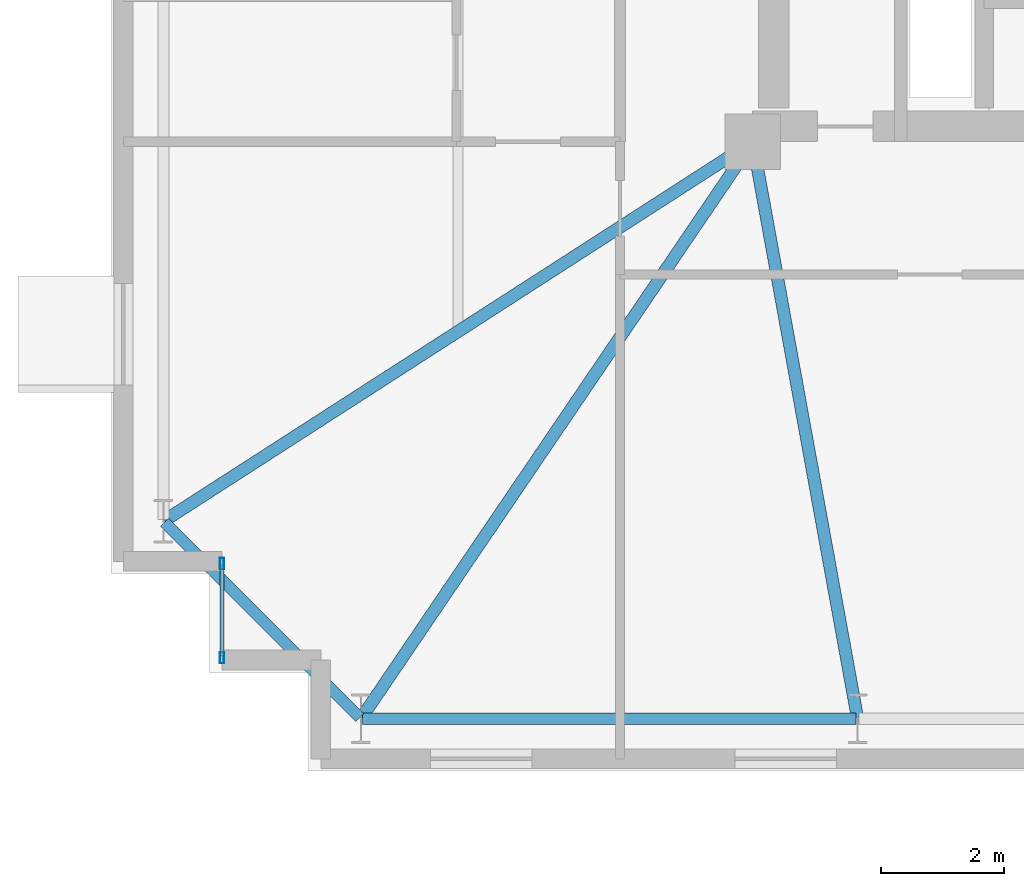
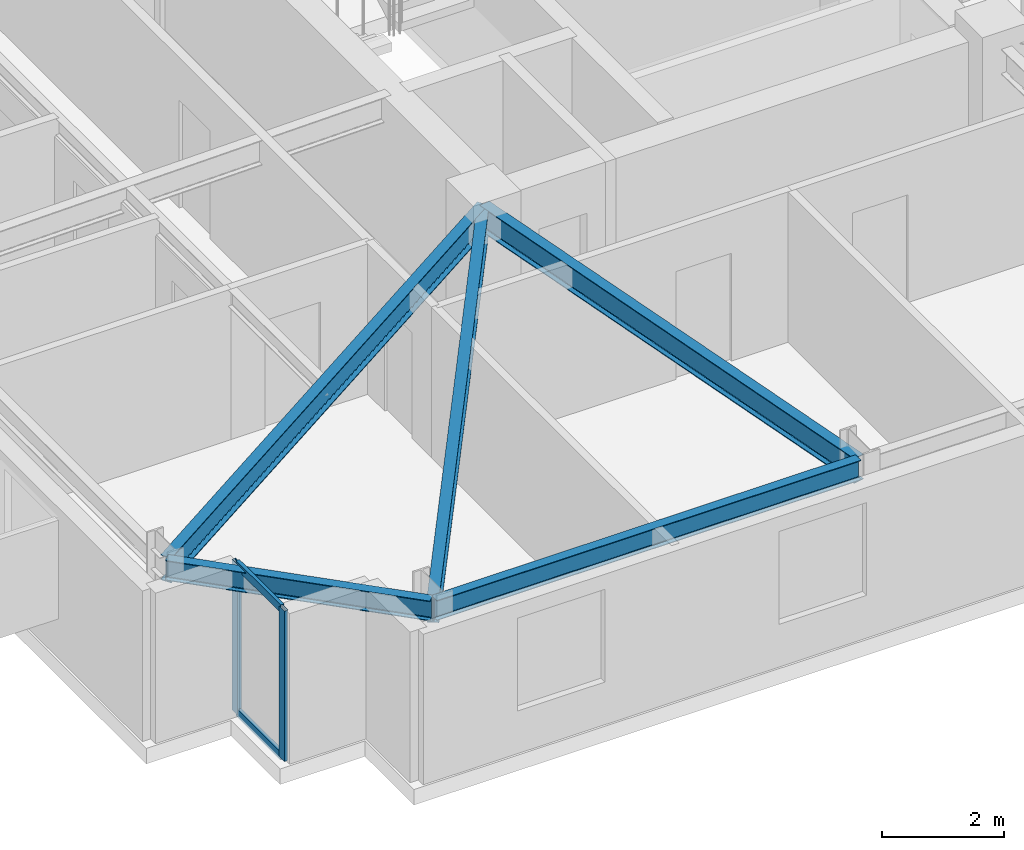
# One storey, part 3 of 17: 5 beams, 4 members, 1 element without a shape of its own.
"""IFC4 building model written with IfcOpenShell, lengths in metres."""

from ifc_helpers import new_model, si_unit, direction, frame, origin, origin_2d, place, context, subcontext, project, spatial, hollow_rectangle, i_section, extrude, material, layer, layer_set, material_profile, profile_set, type_object, element, aggregate, save


model = new_model("IFC4")

# Units and contexts
model_context = context("Model", 3, precision=1e-05, world=origin(), true_north=direction((0.0, 1.0)))
body_context = subcontext(model_context, "Body", "Model", "MODEL_VIEW")
ifc_project = project(units=[si_unit("LENGTHUNIT", "METRE"), si_unit("AREAUNIT", "SQUARE_METRE"), si_unit("VOLUMEUNIT", "CUBIC_METRE"), si_unit("PLANEANGLEUNIT", "RADIAN"), si_unit("MASSUNIT", "GRAM", prefix="KILO")], contexts=[model_context])

# Site, building, storey
site_placement = place(None, origin())
site = spatial("IfcSite", under=ifc_project, at=site_placement, CompositionType="ELEMENT")
building_placement = place(site_placement, origin())
building = spatial("IfcBuilding", under=site, at=building_placement, Name="Qobustan Lattice House", CompositionType="ELEMENT")
storey_placement = place(building_placement, frame((0.0, 0.0, 171.199951171875)))
storey = spatial("IfcBuildingStorey", under=building, at=storey_placement, Name="L48", CompositionType="ELEMENT", Elevation=171.199951171875)

# Beams
ifc_material_1 = material(Name="Steel S355", Category="steel")
ifc_material_profile_1 = material_profile(ifc_material_1, i_section(OverallWidth=0.199951171875, OverallDepth=0.5, WebThickness=0.01025390625, FlangeThickness=0.01611328125, FilletRadius=0.02099609375, at=origin_2d()), Name="IPE500")
ifc_profile_set_1 = profile_set([ifc_material_profile_1], Name="Steel S355")
beam_type_1 = type_object("IfcBeamType", Name="BM-FLG-IPE500", PredefinedType="USERDEFINED", material=ifc_profile_set_1)
beam_1_placement = place(storey_placement, frame((-25.135986328125, -14.92919921875, 2.75), z_axis=(0.561834572616, 0.827249607442, 0.0), x_axis=(-0.827249607442, 0.561834572616, 0.0)))
element("IfcBeam", 1, at=beam_1_placement, inside=storey, type_object=beam_type_1, Name="L48 primary floor girder RAD-S1W", ObjectType="GIRDER", PredefinedType="USERDEFINED", context=body_context, shape_type="SweptSolid", body=[
    extrude(i_section(OverallWidth=0.199951171875, OverallDepth=0.5, WebThickness=0.01025390625, FlangeThickness=0.01611328125, FilletRadius=0.02099609375, at=origin_2d()), origin(), (0.0, 0.0, 1.0), 11.25244140625),
])
beam_2_placement = place(storey_placement, frame((-17.1044921875, -14.92529296875, 2.75), z_axis=(-0.178871801984, 0.983872389314, 0.0), x_axis=(-0.983872389314, -0.178871801984, 0.0)))
element("IfcBeam", 2, at=beam_2_placement, inside=storey, type_object=beam_type_1, Name="L48 primary floor girder RAD-S2", ObjectType="GIRDER", PredefinedType="USERDEFINED", context=body_context, shape_type="SweptSolid", body=[
    extrude(i_section(OverallWidth=0.199951171875, OverallDepth=0.5, WebThickness=0.01025390625, FlangeThickness=0.01611328125, FilletRadius=0.02099609375, at=origin_2d()), origin(), (0.0, 0.0, 1.0), 9.453125),
])
beam_3_placement = place(storey_placement, frame((-28.3291015625, -11.736572265625, 2.75), z_axis=(0.840746836292, 0.5414284415, 0.0), x_axis=(-0.5414284415, 0.840746836292, 0.0)))
element("IfcBeam", 3, at=beam_3_placement, inside=storey, type_object=beam_type_1, Name="L48 primary floor girder RAD-W4", ObjectType="GIRDER", PredefinedType="USERDEFINED", context=body_context, shape_type="SweptSolid", body=[
    extrude(i_section(OverallWidth=0.199951171875, OverallDepth=0.5, WebThickness=0.01025390625, FlangeThickness=0.01611328125, FilletRadius=0.02099609375, at=origin_2d()), origin(), (0.0, 0.0, 1.0), 11.30908203125),
])
ifc_material_2 = material(Name="Steel S355", Category="steel")
ifc_material_profile_2 = material_profile(ifc_material_2, i_section(OverallWidth=0.179931640625, OverallDepth=0.39990234375, WebThickness=0.008544921875, FlangeThickness=0.013427734375, FilletRadius=0.02099609375, at=origin_2d()), Name="IPE400")
ifc_profile_set_2 = profile_set([ifc_material_profile_2], Name="Steel S355")
beam_type_2 = type_object("IfcBeamType", Name="BM-SPD-IPE400", PredefinedType="SPANDREL", material=ifc_profile_set_2)
beam_4_placement = place(storey_placement, frame((-25.125, -14.949951171875, 2.800048828125), z_axis=(1.0, 0.0, 0.0), x_axis=(0.0, 1.0, 0.0)))
element("IfcBeam", 4, at=beam_4_placement, inside=storey, type_object=beam_type_2, Name="L48 perimeter spandrel S1-S2", PredefinedType="SPANDREL", context=body_context, shape_type="SweptSolid", body=[
    extrude(i_section(OverallWidth=0.179931640625, OverallDepth=0.39990234375, WebThickness=0.008544921875, FlangeThickness=0.013427734375, FilletRadius=0.02099609375, at=origin_2d()), origin(), (0.0, 0.0, 1.0), 8.0),
])
beam_5_placement = place(storey_placement, frame((-28.332275390625, -11.767578125, 2.800048828125), z_axis=(0.707079505568, -0.707134055753, 0.0), x_axis=(0.707134055753, 0.707079505568, 0.0)))
element("IfcBeam", 5, at=beam_5_placement, inside=storey, type_object=beam_type_2, Name="L48 perimeter spandrel W4-S1", PredefinedType="SPANDREL", context=body_context, shape_type="SweptSolid", body=[
    extrude(i_section(OverallWidth=0.179931640625, OverallDepth=0.39990234375, WebThickness=0.008544921875, FlangeThickness=0.013427734375, FilletRadius=0.02099609375, at=origin_2d()), origin(), (0.0, 0.0, 1.0), 4.4755859375),
])

# Curtain wall, members
ifc_material_3 = material(Name="Anodised aluminium and low-E glazing", Category="aluminium")
ifc_layer = layer(ifc_material_3, 0.219970703125)
ifc_layer_set = layer_set([ifc_layer], Name="Anodised aluminium and low-E glazing")
curtain_wall_type = type_object("IfcCurtainWallType", Name="CW-FAC-02", PredefinedType="USERDEFINED", material=ifc_layer_set)
curtain_wall_placement = place(storey_placement, origin())
curtain_wall = element("IfcCurtainWall", 6, at=curtain_wall_placement, inside=storey, type_object=curtain_wall_type, Name="L48 serrated corner faceted glazing 3", ObjectType="CURTAIN WALL", PredefinedType="USERDEFINED")
ifc_material_4 = material(Name="Anodised aluminium EN AW-6063 T6", Category="aluminium")
ifc_material_profile_3 = material_profile(ifc_material_4, hollow_rectangle(XDim=0.070068359375, YDim=0.179931640625, WallThickness=0.00439453125, at=origin_2d()), Name="CWM-180x70")
ifc_profile_set_3 = profile_set([ifc_material_profile_3], Name="Anodised aluminium EN AW-6063 T6")
member_type_1 = type_object("IfcMemberType", Name="CWM-STD-180", PredefinedType="MULLION", material=ifc_profile_set_3)
member_1_placement = place(storey_placement, frame((-27.39990234375, -13.965087890625, 0.0), z_axis=(0.0, 0.0, 1.0), x_axis=(-1.0, 0.0, 0.0)))
member_1 = element("IfcMember", 7, at=member_1_placement, type_object=member_type_1, Name="CW-F2 mullion 1", PredefinedType="MULLION", context=body_context, shape_type="SweptSolid", body=[
    extrude(hollow_rectangle(XDim=0.070068359375, YDim=0.179931640625, WallThickness=0.00439453125, at=origin_2d()), origin(), (0.0, 0.0, 1.0), 3.0),
])
member_2_placement = place(storey_placement, frame((-27.39990234375, -12.43505859375, 0.0), z_axis=(0.0, 0.0, 1.0), x_axis=(-1.0, 0.0, 0.0)))
member_2 = element("IfcMember", 8, at=member_2_placement, type_object=member_type_1, Name="CW-F2 mullion 2", PredefinedType="MULLION", context=body_context, shape_type="SweptSolid", body=[
    extrude(hollow_rectangle(XDim=0.070068359375, YDim=0.179931640625, WallThickness=0.00439453125, at=origin_2d()), origin(), (0.0, 0.0, 1.0), 3.0),
])
ifc_material_5 = material(Name="Anodised aluminium EN AW-6063 T6", Category="aluminium")
ifc_material_profile_4 = material_profile(ifc_material_5, hollow_rectangle(XDim=0.06494140625, YDim=0.159912109375, WallThickness=0.00390625, at=origin_2d()), Name="CWT-160x65")
ifc_profile_set_4 = profile_set([ifc_material_profile_4], Name="Anodised aluminium EN AW-6063 T6")
member_type_2 = type_object("IfcMemberType", Name="CWT-HOR-160", PredefinedType="USERDEFINED", material=ifc_profile_set_4)
member_3_placement = place(storey_placement, frame((-27.39990234375, -13.929931640625, 0.032470703125), z_axis=(0.0, 1.0, 0.0), x_axis=(-1.0, 0.0, 0.0)))
member_3 = element("IfcMember", 9, at=member_3_placement, type_object=member_type_2, Name="CW-F2 transom 1.1", ObjectType="TRANSOM", PredefinedType="USERDEFINED", context=body_context, shape_type="SweptSolid", body=[
    extrude(hollow_rectangle(XDim=0.06494140625, YDim=0.159912109375, WallThickness=0.00390625, at=origin_2d()), origin(), (0.0, 0.0, 1.0), 1.4599609375),
])
member_4_placement = place(storey_placement, frame((-27.39990234375, -13.929931640625, 2.967529296875), z_axis=(0.0, 1.0, 0.0), x_axis=(-1.0, 0.0, 0.0)))
member_4 = element("IfcMember", 10, at=member_4_placement, type_object=member_type_2, Name="CW-F2 transom 1.2", ObjectType="TRANSOM", PredefinedType="USERDEFINED", context=body_context, shape_type="SweptSolid", body=[
    extrude(hollow_rectangle(XDim=0.06494140625, YDim=0.159912109375, WallThickness=0.00390625, at=origin_2d()), origin(), (0.0, 0.0, 1.0), 1.4599609375),
])
aggregate(curtain_wall, [member_1, member_2, member_3, member_4])

save(model, "model.ifc")
